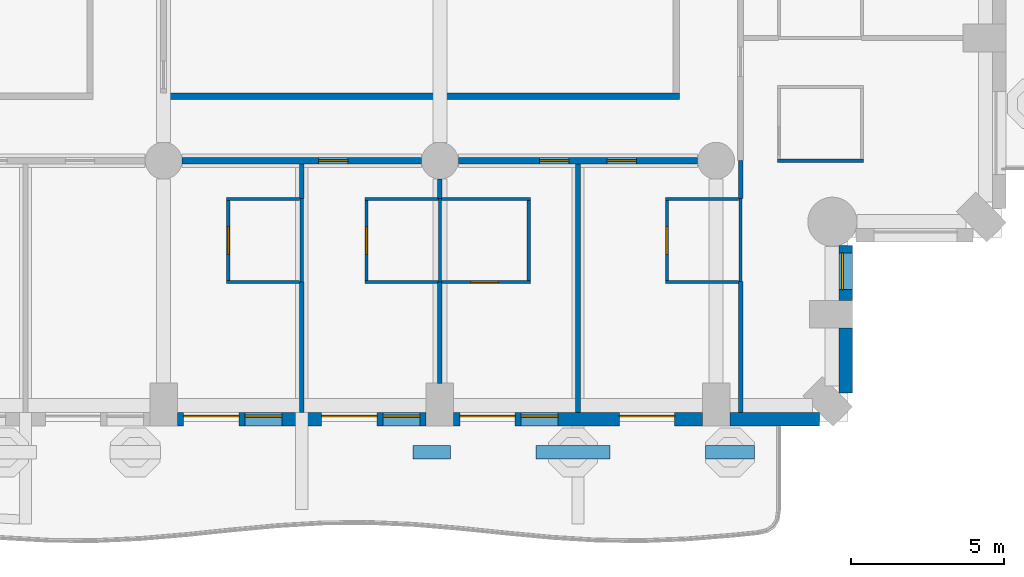
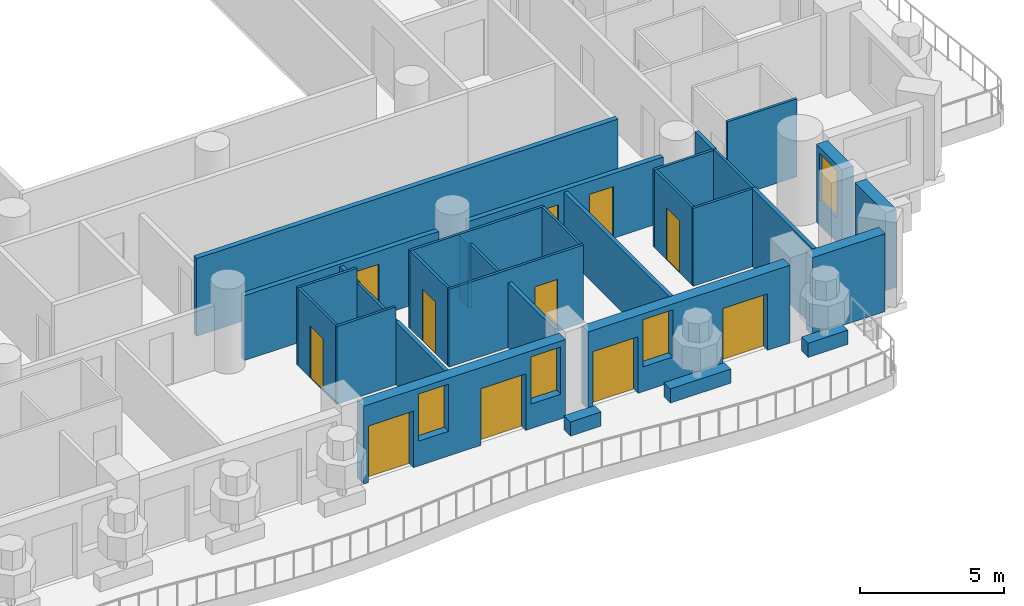
# One storey, part 5 of 20: 32 walls, 11 doors, 4 windows, 15 openings.
"""IFC4 building model written with IfcOpenShell, lengths in metres."""

from ifc_helpers import new_model, si_unit, direction, frame, frame_2d, origin, place, context, subcontext, project, spatial, rectangle, extrude, material, layer, layer_set, type_object, element, fill, save


model = new_model("IFC4")

# Units and contexts
model_context = context("Model", 3, precision=1e-05, world=origin(), true_north=direction((0.0, 1.0)))
body_context = subcontext(model_context, "Body", "Model", "MODEL_VIEW")
ifc_project = project(units=[si_unit("LENGTHUNIT", "METRE"), si_unit("AREAUNIT", "SQUARE_METRE"), si_unit("VOLUMEUNIT", "CUBIC_METRE"), si_unit("PLANEANGLEUNIT", "RADIAN"), si_unit("MASSUNIT", "GRAM", prefix="KILO")], contexts=[model_context])

# Site, building, storey
site_placement = place(None, origin())
site = spatial("IfcSite", under=ifc_project, at=site_placement, CompositionType="ELEMENT")
building_placement = place(site_placement, origin())
building = spatial("IfcBuilding", under=site, at=building_placement, Name="Cypress Arch Tower", CompositionType="ELEMENT")
storey_placement = place(building_placement, frame((0.0, 0.0, 55.5)))
storey = spatial("IfcBuildingStorey", under=building, at=storey_placement, Name="L07", CompositionType="ELEMENT", Elevation=55.5)

# Walls
ifc_material_1 = material(Name="Concrete C40/50, waterproofed", Category="concrete")
ifc_layer_1 = layer(ifc_material_1, 0.449951171875)
ifc_layer_set_1 = layer_set([ifc_layer_1], Name="Balcony planter wall PW450")
wall_type_1 = type_object("IfcWallType", Name="Balcony planter wall PW450", PredefinedType="SOLIDWALL", material=ifc_layer_set_1)
wall_1_placement = place(storey_placement, frame((5.419921875, -27.0, 0.0), z_axis=(0.0, 0.0, 1.0), x_axis=(1.0, 0.0, 0.0)))
element("IfcWall", 1, at=wall_1_placement, inside=storey, type_object=wall_type_1, Name="Balcony planter wall L07-A03.5", PredefinedType="SOLIDWALL", context=body_context, shape_type="SweptSolid", body=[
    extrude(rectangle(XDim=1.22998046875, YDim=0.449951171875, at=frame_2d((0.614990234375, 0.0))), origin(), (0.0, 0.0, 1.0), 0.60009765625),
])
wall_2_placement = place(storey_placement, frame((9.429931640625, -27.0, 0.0), z_axis=(0.0, 0.0, 1.0), x_axis=(1.0, 0.0, 0.0)))
element("IfcWall", 2, at=wall_2_placement, inside=storey, type_object=wall_type_1, Name="Balcony planter wall L07-A03.6", PredefinedType="SOLIDWALL", context=body_context, shape_type="SweptSolid", body=[
    extrude(rectangle(XDim=2.420166015625, YDim=0.449951171875, at=frame_2d((1.2099609375, 0.0))), origin(), (0.0, 0.0, 1.0), 0.60009765625),
])
wall_3_placement = place(storey_placement, frame((14.949951171875, -27.0, 0.0), z_axis=(0.0, 0.0, 1.0), x_axis=(1.0, 0.0, 0.0)))
element("IfcWall", 3, at=wall_3_placement, inside=storey, type_object=wall_type_1, Name="Balcony planter wall L07-A03.7", PredefinedType="SOLIDWALL", context=body_context, shape_type="SweptSolid", body=[
    extrude(rectangle(XDim=1.60009765625, YDim=0.449951171875, at=frame_2d((0.800048828125, 0.0))), origin(), (0.0, 0.0, 1.0), 0.60009765625),
])

# Wall, openings, doors, windows
ifc_material_2 = material(Name="Brick (red buff blend)", Category="masonry")
ifc_layer_2 = layer(ifc_material_2, 0.449951171875)
ifc_layer_set_2 = layer_set([ifc_layer_2], Name="Brick pier and spandrel wall BW450")
wall_type_2 = type_object("IfcWallType", Name="Brick pier and spandrel wall BW450", PredefinedType="SOLIDWALL", material=ifc_layer_set_2)
wall_4_placement = place(storey_placement, frame((-2.25, -25.925048828125, 0.0), z_axis=(0.0, 0.0, 1.0), x_axis=(1.0, 0.0, 0.0)))
wall_4 = element("IfcWall", 4, at=wall_4_placement, inside=storey, type_object=wall_type_2, Name="Brick wall L07 A03.3", PredefinedType="SOLIDWALL", context=body_context, shape_type="SweptSolid", body=[
    extrude(rectangle(XDim=8.10009765625, YDim=0.449951171875, at=frame_2d((4.050048828125, 0.0))), origin(), (0.0, 0.0, 1.0), 3.300048828125),
])
opening_1_placement = place(wall_4_placement, frame((0.199951171875, 0.0, 0.0)))
opening_1 = element("IfcOpeningElement", 5, at=opening_1_placement, cuts=wall_4, Name="Opening D-L07-A03.3.1", PredefinedType="OPENING", context=body_context, shape_type="SweptSolid", body=[
    extrude(rectangle(XDim=1.800048828125, YDim=2.39990234375, at=frame_2d((0.89990234375, 1.199951171875))), frame((0.0, 0.23486328125, 0.0), z_axis=(0.0, -1.0, 0.0), x_axis=(1.0, 0.0, 0.0)), (0.0, 0.0, 1.0), 0.469970703125),
])
opening_2_placement = place(wall_4_placement, frame((2.199951171875, 0.0, 1.050048828125)))
opening_2 = element("IfcOpeningElement", 6, at=opening_2_placement, cuts=wall_4, Name="Opening W120HD", PredefinedType="OPENING", context=body_context, shape_type="SweptSolid", body=[
    extrude(rectangle(XDim=1.199951171875, YDim=2.0, at=frame_2d((0.60009765625, 1.0))), frame((0.0, 0.23486328125, 0.0), z_axis=(0.0, -1.0, 0.0), x_axis=(1.0, 0.0, 0.0)), (0.0, 0.0, 1.0), 0.469970703125),
])
opening_3_placement = place(wall_4_placement, frame((4.699951171875, 0.0, 0.0)))
opening_3 = element("IfcOpeningElement", 7, at=opening_3_placement, cuts=wall_4, Name="Opening D-L07-A03.3.2", PredefinedType="OPENING", context=body_context, shape_type="SweptSolid", body=[
    extrude(rectangle(XDim=1.800048828125, YDim=2.39990234375, at=frame_2d((0.89990234375, 1.199951171875))), frame((0.0, 0.23486328125, 0.0), z_axis=(0.0, -1.0, 0.0), x_axis=(1.0, 0.0, 0.0)), (0.0, 0.0, 1.0), 0.469970703125),
])
opening_4_placement = place(wall_4_placement, frame((6.699951171875, 0.0, 1.050048828125)))
opening_4 = element("IfcOpeningElement", 8, at=opening_4_placement, cuts=wall_4, Name="Opening W120HD", PredefinedType="OPENING", context=body_context, shape_type="SweptSolid", body=[
    extrude(rectangle(XDim=1.199951171875, YDim=2.0, at=frame_2d((0.60009765625, 1.0))), frame((0.0, 0.23486328125, 0.0), z_axis=(0.0, -1.0, 0.0), x_axis=(1.0, 0.0, 0.0)), (0.0, 0.0, 1.0), 0.469970703125),
])
ifc_material_3 = material(Name="Anodised aluminium, bronze finish, laminated low-emissivity double glazing, large-missile impact rated", Category="aluminium")
door_type_1 = type_object("IfcDoorType", Name="Balcony sliding door 1800x2400", OperationType="SLIDING_TO_LEFT", PredefinedType="DOOR", material=ifc_material_3)
door_1_placement = place(opening_1_placement, origin())
door_1 = element("IfcDoor", 9, at=door_1_placement, inside=storey, type_object=door_type_1, Name="Balcony door L07 A03.3.1", OperationType="SLIDING_TO_LEFT", OverallHeight=2.39990234375, OverallWidth=1.800048828125, PredefinedType="DOOR", context=body_context, shape_type="SweptSolid", body=[
    extrude(rectangle(XDim=1.800048828125, YDim=2.39990234375, at=frame_2d((0.89990234375, 1.199951171875))), frame((0.0, 0.1298828125, 0.0), z_axis=(0.0, -1.0, 0.0), x_axis=(1.0, 0.0, 0.0)), (0.0, 0.0, 1.0), 0.050048828125),
])
fill(opening_1, door_1)
door_2_placement = place(opening_3_placement, origin())
door_2 = element("IfcDoor", 10, at=door_2_placement, inside=storey, type_object=door_type_1, Name="Balcony door L07 A03.3.2", OperationType="SLIDING_TO_LEFT", OverallHeight=2.39990234375, OverallWidth=1.800048828125, PredefinedType="DOOR", context=body_context, shape_type="SweptSolid", body=[
    extrude(rectangle(XDim=1.800048828125, YDim=2.39990234375, at=frame_2d((0.89990234375, 1.199951171875))), frame((0.0, 0.1298828125, 0.0), z_axis=(0.0, -1.0, 0.0), x_axis=(1.0, 0.0, 0.0)), (0.0, 0.0, 1.0), 0.050048828125),
])
fill(opening_3, door_2)
ifc_material_4 = material(Name="Anodised aluminium, bronze finish, laminated low-emissivity double glazing, large-missile impact rated", Category="aluminium")
window_type_1 = type_object("IfcWindowType", Name="Window Hotel 1200x2000 debris-rated", PartitioningType="SINGLE_PANEL", PredefinedType="WINDOW", material=ifc_material_4)
window_1_placement = place(opening_2_placement, origin())
window_1 = element("IfcWindow", 11, at=window_1_placement, inside=storey, type_object=window_type_1, Name="Window L07 A03.3.1", OverallHeight=2.0, OverallWidth=1.199951171875, PartitioningType="SINGLE_PANEL", PredefinedType="WINDOW", context=body_context, shape_type="SweptSolid", body=[
    extrude(rectangle(XDim=1.199951171875, YDim=2.0, at=frame_2d((0.60009765625, 1.0))), frame((0.0, 0.135009765625, 0.0), z_axis=(0.0, -1.0, 0.0), x_axis=(1.0, 0.0, 0.0)), (0.0, 0.0, 1.0), 0.06005859375),
])
fill(opening_2, window_1)
window_2_placement = place(opening_4_placement, origin())
window_2 = element("IfcWindow", 12, at=window_2_placement, inside=storey, type_object=window_type_1, Name="Window L07 A03.3.2", OverallHeight=2.0, OverallWidth=1.199951171875, PartitioningType="SINGLE_PANEL", PredefinedType="WINDOW", context=body_context, shape_type="SweptSolid", body=[
    extrude(rectangle(XDim=1.199951171875, YDim=2.0, at=frame_2d((0.60009765625, 1.0))), frame((0.0, 0.135009765625, 0.0), z_axis=(0.0, -1.0, 0.0), x_axis=(1.0, 0.0, 0.0)), (0.0, 0.0, 1.0), 0.06005859375),
])
fill(opening_4, window_2)

# Wall, openings, doors, window
wall_5_placement = place(storey_placement, frame((6.75, -25.925048828125, 0.0), z_axis=(0.0, 0.0, 1.0), x_axis=(1.0, 0.0, 0.0)))
wall_5 = element("IfcWall", 13, at=wall_5_placement, inside=storey, type_object=wall_type_2, Name="Brick wall L07 A03.4", PredefinedType="SOLIDWALL", context=body_context, shape_type="SweptSolid", body=[
    extrude(rectangle(XDim=8.10009765625, YDim=0.449951171875, at=frame_2d((4.050048828125, 0.0))), origin(), (0.0, 0.0, 1.0), 3.300048828125),
])
opening_5_placement = place(wall_5_placement, frame((0.199951171875, 0.0, 0.0)))
opening_5 = element("IfcOpeningElement", 14, at=opening_5_placement, cuts=wall_5, Name="Opening D-L07-A03.4.1", PredefinedType="OPENING", context=body_context, shape_type="SweptSolid", body=[
    extrude(rectangle(XDim=1.800048828125, YDim=2.39990234375, at=frame_2d((0.89990234375, 1.199951171875))), frame((0.0, 0.23486328125, 0.0), z_axis=(0.0, -1.0, 0.0), x_axis=(1.0, 0.0, 0.0)), (0.0, 0.0, 1.0), 0.469970703125),
])
opening_6_placement = place(wall_5_placement, frame((2.199951171875, 0.0, 1.050048828125)))
opening_6 = element("IfcOpeningElement", 15, at=opening_6_placement, cuts=wall_5, Name="Opening W120HD", PredefinedType="OPENING", context=body_context, shape_type="SweptSolid", body=[
    extrude(rectangle(XDim=1.199951171875, YDim=2.0, at=frame_2d((0.60009765625, 1.0))), frame((0.0, 0.23486328125, 0.0), z_axis=(0.0, -1.0, 0.0), x_axis=(1.0, 0.0, 0.0)), (0.0, 0.0, 1.0), 0.469970703125),
])
opening_7_placement = place(wall_5_placement, frame((5.39990234375, 0.0, 0.0)))
opening_7 = element("IfcOpeningElement", 16, at=opening_7_placement, cuts=wall_5, Name="Opening D-L07-A03.4.2", PredefinedType="OPENING", context=body_context, shape_type="SweptSolid", body=[
    extrude(rectangle(XDim=1.800048828125, YDim=2.39990234375, at=frame_2d((0.89990234375, 1.199951171875))), frame((0.0, 0.23486328125, 0.0), z_axis=(0.0, -1.0, 0.0), x_axis=(1.0, 0.0, 0.0)), (0.0, 0.0, 1.0), 0.469970703125),
])
door_3_placement = place(opening_5_placement, origin())
door_3 = element("IfcDoor", 17, at=door_3_placement, inside=storey, type_object=door_type_1, Name="Balcony door L07 A03.4.1", OperationType="SLIDING_TO_LEFT", OverallHeight=2.39990234375, OverallWidth=1.800048828125, PredefinedType="DOOR", context=body_context, shape_type="SweptSolid", body=[
    extrude(rectangle(XDim=1.800048828125, YDim=2.39990234375, at=frame_2d((0.89990234375, 1.199951171875))), frame((0.0, 0.1298828125, 0.0), z_axis=(0.0, -1.0, 0.0), x_axis=(1.0, 0.0, 0.0)), (0.0, 0.0, 1.0), 0.050048828125),
])
fill(opening_5, door_3)
door_4_placement = place(opening_7_placement, origin())
door_4 = element("IfcDoor", 18, at=door_4_placement, inside=storey, type_object=door_type_1, Name="Balcony door L07 A03.4.2", OperationType="SLIDING_TO_LEFT", OverallHeight=2.39990234375, OverallWidth=1.800048828125, PredefinedType="DOOR", context=body_context, shape_type="SweptSolid", body=[
    extrude(rectangle(XDim=1.800048828125, YDim=2.39990234375, at=frame_2d((0.89990234375, 1.199951171875))), frame((0.0, 0.1298828125, 0.0), z_axis=(0.0, -1.0, 0.0), x_axis=(1.0, 0.0, 0.0)), (0.0, 0.0, 1.0), 0.050048828125),
])
fill(opening_7, door_4)
window_3_placement = place(opening_6_placement, origin())
window_3 = element("IfcWindow", 19, at=window_3_placement, inside=storey, type_object=window_type_1, Name="Window L07 A03.4.1", OverallHeight=2.0, OverallWidth=1.199951171875, PartitioningType="SINGLE_PANEL", PredefinedType="WINDOW", context=body_context, shape_type="SweptSolid", body=[
    extrude(rectangle(XDim=1.199951171875, YDim=2.0, at=frame_2d((0.60009765625, 1.0))), frame((0.0, 0.135009765625, 0.0), z_axis=(0.0, -1.0, 0.0), x_axis=(1.0, 0.0, 0.0)), (0.0, 0.0, 1.0), 0.06005859375),
])
fill(opening_6, window_3)

# Walls
wall_6_placement = place(storey_placement, frame((15.75, -25.925048828125, 0.0), z_axis=(0.0, 0.0, 1.0), x_axis=(1.0, 0.0, 0.0)))
element("IfcWall", 20, at=wall_6_placement, inside=storey, type_object=wall_type_2, Name="Brick wall L07 A03.5", PredefinedType="SOLIDWALL", context=body_context, shape_type="SweptSolid", body=[
    extrude(rectangle(XDim=2.91357421875, YDim=0.449951171875, at=frame_2d((1.456787109375, 0.0))), origin(), (0.0, 0.0, 1.0), 3.300048828125),
])
wall_7_placement = place(storey_placement, frame((19.52490234375, -25.063720703125, 0.0), z_axis=(0.0, 0.0, 1.0), x_axis=(0.0, 1.0, 0.0)))
element("IfcWall", 21, at=wall_7_placement, inside=storey, type_object=wall_type_2, Name="Brick wall L07 A04.0", PredefinedType="SOLIDWALL", context=body_context, shape_type="SweptSolid", body=[
    extrude(rectangle(XDim=2.11376953125, YDim=0.449951171875, at=frame_2d((1.056884765625, 0.0))), origin(), (0.0, 0.0, 1.0), 3.300048828125),
])

# Wall, opening, window
wall_8_placement = place(storey_placement, frame((19.52490234375, -22.050048828125, 0.0), z_axis=(0.0, 0.0, 1.0), x_axis=(0.0, 1.0, 0.0)))
wall_8 = element("IfcWall", 22, at=wall_8_placement, inside=storey, type_object=wall_type_2, Name="Brick wall L07 A04.1", PredefinedType="SOLIDWALL", context=body_context, shape_type="SweptSolid", body=[
    extrude(rectangle(XDim=1.79150390625, YDim=0.449951171875, at=frame_2d((0.895751953125, 0.0))), origin(), (0.0, 0.0, 1.0), 3.300048828125),
])
opening_8_placement = place(wall_8_placement, frame((0.35009765625, 0.0, 1.050048828125)))
opening_8 = element("IfcOpeningElement", 23, at=opening_8_placement, cuts=wall_8, Name="Opening W120H", PredefinedType="OPENING", context=body_context, shape_type="SweptSolid", body=[
    extrude(rectangle(XDim=1.199951171875, YDim=2.0, at=frame_2d((0.60009765625, 1.0))), frame((0.0, 0.23486328125, 0.0), z_axis=(0.0, -1.0, 0.0), x_axis=(1.0, 0.0, 0.0)), (0.0, 0.0, 1.0), 0.469970703125),
])
ifc_material_5 = material(Name="Anodised aluminium, bronze finish, clear low-emissivity double glazing", Category="aluminium")
window_type_2 = type_object("IfcWindowType", Name="Window Hotel 1200x2000", PartitioningType="SINGLE_PANEL", PredefinedType="WINDOW", material=ifc_material_5)
window_4_placement = place(opening_8_placement, origin())
window_4 = element("IfcWindow", 24, at=window_4_placement, inside=storey, type_object=window_type_2, Name="Window L07 A04.1.1", OverallHeight=2.0, OverallWidth=1.199951171875, PartitioningType="SINGLE_PANEL", PredefinedType="WINDOW", context=body_context, shape_type="SweptSolid", body=[
    extrude(rectangle(XDim=1.199951171875, YDim=2.0, at=frame_2d((0.60009765625, 1.0))), frame((0.0, 0.135009765625, 0.0), z_axis=(0.0, -1.0, 0.0), x_axis=(1.0, 0.0, 0.0)), (0.0, 0.0, 1.0), 0.06005859375),
])
fill(opening_8, window_4)

# Wall, opening, door
ifc_material_6 = material(Name="Concrete blockwork, plastered, rated", Category="masonry")
ifc_layer_3 = layer(ifc_material_6, 0.199951171875)
ifc_layer_set_3 = layer_set([ifc_layer_3], Name="Corridor wall FW200")
wall_type_3 = type_object("IfcWallType", Name="Corridor wall FW200", PredefinedType="PARTITIONING", material=ifc_layer_set_3)
wall_9_placement = place(storey_placement, frame((-2.10009765625, -17.5, 0.0), z_axis=(0.0, 0.0, 1.0), x_axis=(1.0, 0.0, 0.0)))
wall_9 = element("IfcWall", 25, at=wall_9_placement, inside=storey, type_object=wall_type_3, Name="Corridor wall", PredefinedType="PARTITIONING", context=body_context, shape_type="SweptSolid", body=[
    extrude(rectangle(XDim=7.800048828125, YDim=0.199951171875, at=frame_2d((3.89990234375, 0.0))), origin(), (0.0, 0.0, 1.0), 2.75),
])
opening_9_placement = place(wall_9_placement, frame((4.449951171875, 0.0, 0.0)))
opening_9 = element("IfcOpeningElement", 26, at=opening_9_placement, cuts=wall_9, Name="Opening D02", PredefinedType="OPENING", context=body_context, shape_type="SweptSolid", body=[
    extrude(rectangle(XDim=0.949951171875, YDim=2.199951171875, at=frame_2d((0.47509765625, 1.10009765625))), frame((0.0, 0.10986328125, 0.0), z_axis=(0.0, -1.0, 0.0), x_axis=(1.0, 0.0, 0.0)), (0.0, 0.0, 1.0), 0.219970703125),
])
ifc_material_7 = material(Name="Timber flush door, fire resisting", Category="wood")
door_type_2 = type_object("IfcDoorType", Name="Room door D02 950x2200", OperationType="SINGLE_SWING_LEFT", PredefinedType="DOOR", material=ifc_material_7)
door_5_placement = place(opening_9_placement, origin())
door_5 = element("IfcDoor", 27, at=door_5_placement, inside=storey, type_object=door_type_2, Name="Room door", OperationType="SINGLE_SWING_RIGHT", OverallHeight=2.199951171875, OverallWidth=0.949951171875, PredefinedType="DOOR", context=body_context, shape_type="SweptSolid", body=[
    extrude(rectangle(XDim=0.949951171875, YDim=2.199951171875, at=frame_2d((0.47509765625, 1.10009765625))), frame((0.0, 0.02490234375, 0.0), z_axis=(0.0, -1.0, 0.0), x_axis=(1.0, 0.0, 0.0)), (0.0, 0.0, 1.0), 0.050048828125),
])
fill(opening_9, door_5)

# Wall, openings, doors
wall_10_placement = place(storey_placement, frame((6.89990234375, -17.5, 0.0), z_axis=(0.0, 0.0, 1.0), x_axis=(1.0, 0.0, 0.0)))
wall_10 = element("IfcWall", 28, at=wall_10_placement, inside=storey, type_object=wall_type_3, Name="Corridor wall", PredefinedType="PARTITIONING", context=body_context, shape_type="SweptSolid", body=[
    extrude(rectangle(XDim=7.800048828125, YDim=0.199951171875, at=frame_2d((3.89990234375, 0.0))), origin(), (0.0, 0.0, 1.0), 2.75),
])
opening_10_placement = place(wall_10_placement, frame((2.64990234375, 0.0, 0.0)))
opening_10 = element("IfcOpeningElement", 29, at=opening_10_placement, cuts=wall_10, Name="Opening D02", PredefinedType="OPENING", context=body_context, shape_type="SweptSolid", body=[
    extrude(rectangle(XDim=0.949951171875, YDim=2.199951171875, at=frame_2d((0.47509765625, 1.10009765625))), frame((0.0, 0.10986328125, 0.0), z_axis=(0.0, -1.0, 0.0), x_axis=(1.0, 0.0, 0.0)), (0.0, 0.0, 1.0), 0.219970703125),
])
opening_11_placement = place(wall_10_placement, frame((4.85009765625, 0.0, 0.0)))
opening_11 = element("IfcOpeningElement", 30, at=opening_11_placement, cuts=wall_10, Name="Opening D02", PredefinedType="OPENING", context=body_context, shape_type="SweptSolid", body=[
    extrude(rectangle(XDim=0.949951171875, YDim=2.199951171875, at=frame_2d((0.47509765625, 1.10009765625))), frame((0.0, 0.10986328125, 0.0), z_axis=(0.0, -1.0, 0.0), x_axis=(1.0, 0.0, 0.0)), (0.0, 0.0, 1.0), 0.219970703125),
])
door_6_placement = place(opening_10_placement, origin())
door_6 = element("IfcDoor", 31, at=door_6_placement, inside=storey, type_object=door_type_2, Name="Room door", OperationType="SINGLE_SWING_LEFT", OverallHeight=2.199951171875, OverallWidth=0.949951171875, PredefinedType="DOOR", context=body_context, shape_type="SweptSolid", body=[
    extrude(rectangle(XDim=0.949951171875, YDim=2.199951171875, at=frame_2d((0.47509765625, 1.10009765625))), frame((0.0, 0.02490234375, 0.0), z_axis=(0.0, -1.0, 0.0), x_axis=(1.0, 0.0, 0.0)), (0.0, 0.0, 1.0), 0.050048828125),
])
fill(opening_10, door_6)
door_7_placement = place(opening_11_placement, origin())
door_7 = element("IfcDoor", 32, at=door_7_placement, inside=storey, type_object=door_type_2, Name="Room door", OperationType="SINGLE_SWING_RIGHT", OverallHeight=2.199951171875, OverallWidth=0.949951171875, PredefinedType="DOOR", context=body_context, shape_type="SweptSolid", body=[
    extrude(rectangle(XDim=0.949951171875, YDim=2.199951171875, at=frame_2d((0.47509765625, 1.10009765625))), frame((0.0, 0.02490234375, 0.0), z_axis=(0.0, -1.0, 0.0), x_axis=(1.0, 0.0, 0.0)), (0.0, 0.0, 1.0), 0.050048828125),
])
fill(opening_11, door_7)

# Walls
wall_11_placement = place(storey_placement, frame((-2.800048828125, -15.39990234375, 0.0), z_axis=(0.0, 0.0, 1.0), x_axis=(1.0, 0.0, 0.0)))
element("IfcWall", 33, at=wall_11_placement, inside=storey, type_object=wall_type_3, Name="Corridor wall", PredefinedType="PARTITIONING", context=body_context, shape_type="SweptSolid", body=[
    extrude(rectangle(XDim=16.900146484375, YDim=0.199951171875, at=frame_2d((8.4501953125, 0.0))), origin(), (0.0, 0.0, 1.0), 3.300048828125),
])
ifc_material_8 = material(Name="Blockwork, plastered both sides", Category="masonry")
ifc_layer_4 = layer(ifc_material_8, 0.14990234375)
ifc_layer_set_4 = layer_set([ifc_layer_4], Name="Partition PW150")
wall_type_4 = type_object("IfcWallType", Name="Partition PW150", PredefinedType="PARTITIONING", material=ifc_layer_set_4)
wall_12_placement = place(storey_placement, frame((1.800048828125, -25.699951171875, 0.0), z_axis=(0.0, 0.0, 1.0), x_axis=(0.0, 1.0, 0.0)))
element("IfcWall", 34, at=wall_12_placement, inside=storey, type_object=wall_type_4, Name="Partition", PredefinedType="PARTITIONING", context=body_context, shape_type="SweptSolid", body=[
    extrude(rectangle(XDim=4.25, YDim=0.14990234375, at=frame_2d((2.125, 0.0))), origin(), (0.0, 0.0, 1.0), 2.64990234375),
])
wall_13_placement = place(storey_placement, frame((1.800048828125, -18.72998046875, 0.0), z_axis=(0.0, 0.0, 1.0), x_axis=(0.0, 1.0, 0.0)))
element("IfcWall", 35, at=wall_13_placement, inside=storey, type_object=wall_type_4, Name="Partition", PredefinedType="PARTITIONING", context=body_context, shape_type="SweptSolid", body=[
    extrude(rectangle(XDim=1.1298828125, YDim=0.14990234375, at=frame_2d((0.56494140625, 0.0))), origin(), (0.0, 0.0, 1.0), 2.64990234375),
])
wall_14_placement = place(storey_placement, frame((6.300048828125, -24.75, 0.0), z_axis=(0.0, 0.0, 1.0), x_axis=(0.0, 1.0, 0.0)))
element("IfcWall", 36, at=wall_14_placement, inside=storey, type_object=wall_type_4, Name="Partition", PredefinedType="PARTITIONING", context=body_context, shape_type="SweptSolid", body=[
    extrude(rectangle(XDim=3.300048828125, YDim=0.14990234375, at=frame_2d((1.64990234375, 0.0))), origin(), (0.0, 0.0, 1.0), 2.75),
])
wall_15_placement = place(storey_placement, frame((6.300048828125, -18.72998046875, 0.0), z_axis=(0.0, 0.0, 1.0), x_axis=(0.0, 1.0, 0.0)))
element("IfcWall", 37, at=wall_15_placement, inside=storey, type_object=wall_type_4, Name="Partition", PredefinedType="PARTITIONING", context=body_context, shape_type="SweptSolid", body=[
    extrude(rectangle(XDim=0.6298828125, YDim=0.14990234375, at=frame_2d((0.31494140625, 0.0))), origin(), (0.0, 0.0, 1.0), 2.75),
])
wall_16_placement = place(storey_placement, frame((10.800048828125, -25.699951171875, 0.0), z_axis=(0.0, 0.0, 1.0), x_axis=(0.0, 1.0, 0.0)))
element("IfcWall", 38, at=wall_16_placement, inside=storey, type_object=wall_type_4, Name="Partition", PredefinedType="PARTITIONING", context=body_context, shape_type="SweptSolid", body=[
    extrude(rectangle(XDim=8.099853515625, YDim=0.14990234375, at=frame_2d((4.0498046875, 0.0))), origin(), (0.0, 0.0, 1.0), 2.64990234375),
])
wall_17_placement = place(storey_placement, frame((16.10009765625, -25.699951171875, 0.0), z_axis=(0.0, 0.0, 1.0), x_axis=(0.0, 1.0, 0.0)))
element("IfcWall", 39, at=wall_17_placement, inside=storey, type_object=wall_type_4, Name="Partition", PredefinedType="PARTITIONING", context=body_context, shape_type="SweptSolid", body=[
    extrude(rectangle(XDim=4.27001953125, YDim=0.14990234375, at=frame_2d((2.135009765625, 0.0))), origin(), (0.0, 0.0, 1.0), 3.300048828125),
])
wall_18_placement = place(storey_placement, frame((16.10009765625, -18.72998046875, 0.0), z_axis=(0.0, 0.0, 1.0), x_axis=(0.0, 1.0, 0.0)))
element("IfcWall", 40, at=wall_18_placement, inside=storey, type_object=wall_type_4, Name="Partition", PredefinedType="PARTITIONING", context=body_context, shape_type="SweptSolid", body=[
    extrude(rectangle(XDim=1.22998046875, YDim=0.14990234375, at=frame_2d((0.614990234375, 0.0))), origin(), (0.0, 0.0, 1.0), 3.300048828125),
])

# Wall, opening, door
ifc_material_9 = material(Name="Moisture resistant board on steel studs, tiled", Category="steel")
ifc_layer_5 = layer(ifc_material_9, 0.10009765625)
ifc_layer_set_5 = layer_set([ifc_layer_5], Name="Wet wall PW100")
wall_type_5 = type_object("IfcWallType", Name="Wet wall PW100", PredefinedType="PARTITIONING", material=ifc_layer_set_5)
wall_19_placement = place(storey_placement, frame((-0.595947265625, -21.39990234375, 0.0), z_axis=(0.0, 0.0, 1.0), x_axis=(0.0, 1.0, 0.0)))
wall_19 = element("IfcWall", 41, at=wall_19_placement, inside=storey, type_object=wall_type_5, Name="Wet wall", PredefinedType="PARTITIONING", context=body_context, shape_type="SweptSolid", body=[
    extrude(rectangle(XDim=2.599853515625, YDim=0.10009765625, at=frame_2d((1.2998046875, 0.0))), origin(), (0.0, 0.0, 1.0), 3.300048828125),
])
opening_12_placement = place(wall_19_placement, frame((0.85009765625, 0.0, 0.0)))
opening_12 = element("IfcOpeningElement", 42, at=opening_12_placement, cuts=wall_19, Name="Opening D03", PredefinedType="OPENING", context=body_context, shape_type="SweptSolid", body=[
    extrude(rectangle(XDim=0.89990234375, YDim=2.199951171875, at=frame_2d((0.449951171875, 1.10009765625))), frame((0.0, 0.06005859375, 0.0), z_axis=(0.0, -1.0, 0.0), x_axis=(1.0, 0.0, 0.0)), (0.0, 0.0, 1.0), 0.1201171875),
])
ifc_material_10 = material(Name="Timber flush door, moisture resistant", Category="wood")
door_type_3 = type_object("IfcDoorType", Name="Bathroom door D03 900x2200", OperationType="SINGLE_SWING_LEFT", PredefinedType="DOOR", material=ifc_material_10)
door_8_placement = place(opening_12_placement, origin())
door_8 = element("IfcDoor", 43, at=door_8_placement, inside=storey, type_object=door_type_3, Name="Bathroom door", OperationType="SINGLE_SWING_LEFT", OverallHeight=2.199951171875, OverallWidth=0.89990234375, PredefinedType="DOOR", context=body_context, shape_type="SweptSolid", body=[
    extrude(rectangle(XDim=0.89990234375, YDim=2.199951171875, at=frame_2d((0.449951171875, 1.10009765625))), frame((0.0, 0.02490234375, 0.0), z_axis=(0.0, -1.0, 0.0), x_axis=(1.0, 0.0, 0.0)), (0.0, 0.0, 1.0), 0.050048828125),
])
fill(opening_12, door_8)

# Walls
for number, where, z_axis, x_axis, name in (
    (44, (-0.64599609375, -21.449951171875, 0.0), (0.0, 0.0, 1.0), (1.0, 0.0, 0.0), "Wet wall"),
    (45, (-0.64599609375, -18.75, 0.0), (0.0, 0.0, 1.0), (1.0, 0.0, 0.0), "Wet wall"),
):
    element("IfcWall", number, at=place(storey_placement, frame(where, z_axis=z_axis, x_axis=x_axis)), inside=storey, type_object=wall_type_5, Name=name, PredefinedType="PARTITIONING", context=body_context, shape_type="SweptSolid", body=[
        extrude(rectangle(XDim=2.37109375, YDim=0.10009765625, at=frame_2d((1.185546875, 0.0))), origin(), (0.0, 0.0, 1.0), 3.300048828125),
    ])
wall_20_placement = place(storey_placement, frame((1.800048828125, -21.449951171875, 0.0), z_axis=(0.0, 0.0, 1.0), x_axis=(0.0, 1.0, 0.0)))
element("IfcWall", 46, at=wall_20_placement, inside=storey, type_object=wall_type_5, Name="Wet wall", PredefinedType="PARTITIONING", context=body_context, shape_type="SweptSolid", body=[
    extrude(rectangle(XDim=2.719970703125, YDim=0.10009765625, at=frame_2d((1.35986328125, 0.0))), origin(), (0.0, 0.0, 1.0), 2.64990234375),
])

# Wall, opening, door
wall_21_placement = place(storey_placement, frame((3.904052734375, -21.39990234375, 0.0), z_axis=(0.0, 0.0, 1.0), x_axis=(0.0, 1.0, 0.0)))
wall_21 = element("IfcWall", 47, at=wall_21_placement, inside=storey, type_object=wall_type_5, Name="Wet wall", PredefinedType="PARTITIONING", context=body_context, shape_type="SweptSolid", body=[
    extrude(rectangle(XDim=2.599853515625, YDim=0.10009765625, at=frame_2d((1.2998046875, 0.0))), origin(), (0.0, 0.0, 1.0), 3.300048828125),
])
opening_13_placement = place(wall_21_placement, frame((0.85009765625, 0.0, 0.0)))
opening_13 = element("IfcOpeningElement", 48, at=opening_13_placement, cuts=wall_21, Name="Opening D03", PredefinedType="OPENING", context=body_context, shape_type="SweptSolid", body=[
    extrude(rectangle(XDim=0.89990234375, YDim=2.199951171875, at=frame_2d((0.449951171875, 1.10009765625))), frame((0.0, 0.06005859375, 0.0), z_axis=(0.0, -1.0, 0.0), x_axis=(1.0, 0.0, 0.0)), (0.0, 0.0, 1.0), 0.1201171875),
])
door_9_placement = place(opening_13_placement, origin())
door_9 = element("IfcDoor", 49, at=door_9_placement, inside=storey, type_object=door_type_3, Name="Bathroom door", OperationType="SINGLE_SWING_LEFT", OverallHeight=2.199951171875, OverallWidth=0.89990234375, PredefinedType="DOOR", context=body_context, shape_type="SweptSolid", body=[
    extrude(rectangle(XDim=0.89990234375, YDim=2.199951171875, at=frame_2d((0.449951171875, 1.10009765625))), frame((0.0, 0.02490234375, 0.0), z_axis=(0.0, -1.0, 0.0), x_axis=(1.0, 0.0, 0.0)), (0.0, 0.0, 1.0), 0.050048828125),
])
fill(opening_13, door_9)

wall_22_placement = place(storey_placement, frame((3.85400390625, -21.449951171875, 0.0), z_axis=(0.0, 0.0, 1.0), x_axis=(1.0, 0.0, 0.0)))
wall_22 = element("IfcWall", 50, at=wall_22_placement, inside=storey, type_object=wall_type_5, Name="Wet wall", PredefinedType="PARTITIONING", context=body_context, shape_type="SweptSolid", body=[
    extrude(rectangle(XDim=5.39208984375, YDim=0.10009765625, at=frame_2d((2.696044921875, 0.0))), origin(), (0.0, 0.0, 1.0), 3.300048828125),
])
opening_14_placement = place(wall_22_placement, frame((3.449951171875, 0.0, 0.0)))
opening_14 = element("IfcOpeningElement", 51, at=opening_14_placement, cuts=wall_22, Name="Opening D03", PredefinedType="OPENING", context=body_context, shape_type="SweptSolid", body=[
    extrude(rectangle(XDim=0.89990234375, YDim=2.199951171875, at=frame_2d((0.449951171875, 1.10009765625))), frame((0.0, 0.06005859375, 0.0), z_axis=(0.0, -1.0, 0.0), x_axis=(1.0, 0.0, 0.0)), (0.0, 0.0, 1.0), 0.1201171875),
])
door_10_placement = place(opening_14_placement, origin())
door_10 = element("IfcDoor", 52, at=door_10_placement, inside=storey, type_object=door_type_3, Name="Bathroom door", OperationType="SINGLE_SWING_RIGHT", OverallHeight=2.199951171875, OverallWidth=0.89990234375, PredefinedType="DOOR", context=body_context, shape_type="SweptSolid", body=[
    extrude(rectangle(XDim=0.89990234375, YDim=2.199951171875, at=frame_2d((0.449951171875, 1.10009765625))), frame((0.0, 0.02490234375, 0.0), z_axis=(0.0, -1.0, 0.0), x_axis=(1.0, 0.0, 0.0)), (0.0, 0.0, 1.0), 0.050048828125),
])
fill(opening_14, door_10)

# Walls
wall_23_placement = place(storey_placement, frame((3.85400390625, -18.75, 0.0), z_axis=(0.0, 0.0, 1.0), x_axis=(1.0, 0.0, 0.0)))
element("IfcWall", 53, at=wall_23_placement, inside=storey, type_object=wall_type_5, Name="Wet wall", PredefinedType="PARTITIONING", context=body_context, shape_type="SweptSolid", body=[
    extrude(rectangle(XDim=5.39208984375, YDim=0.10009765625, at=frame_2d((2.696044921875, 0.0))), origin(), (0.0, 0.0, 1.0), 3.300048828125),
])
wall_24_placement = place(storey_placement, frame((6.300048828125, -21.449951171875, 0.0), z_axis=(0.0, 0.0, 1.0), x_axis=(0.0, 1.0, 0.0)))
element("IfcWall", 54, at=wall_24_placement, inside=storey, type_object=wall_type_5, Name="Wet wall", PredefinedType="PARTITIONING", context=body_context, shape_type="SweptSolid", body=[
    extrude(rectangle(XDim=2.719970703125, YDim=0.10009765625, at=frame_2d((1.35986328125, 0.0))), origin(), (0.0, 0.0, 1.0), 2.75),
])
wall_25_placement = place(storey_placement, frame((9.196044921875, -21.39990234375, 0.0), z_axis=(0.0, 0.0, 1.0), x_axis=(0.0, 1.0, 0.0)))
element("IfcWall", 55, at=wall_25_placement, inside=storey, type_object=wall_type_5, Name="Wet wall", PredefinedType="PARTITIONING", context=body_context, shape_type="SweptSolid", body=[
    extrude(rectangle(XDim=2.599853515625, YDim=0.10009765625, at=frame_2d((1.2998046875, 0.0))), origin(), (0.0, 0.0, 1.0), 3.300048828125),
])

# Wall, opening, door
wall_26_placement = place(storey_placement, frame((13.699951171875, -21.39990234375, 0.0), z_axis=(0.0, 0.0, 1.0), x_axis=(0.0, 1.0, 0.0)))
wall_26 = element("IfcWall", 56, at=wall_26_placement, inside=storey, type_object=wall_type_5, Name="Wet wall", PredefinedType="PARTITIONING", context=body_context, shape_type="SweptSolid", body=[
    extrude(rectangle(XDim=2.599853515625, YDim=0.10009765625, at=frame_2d((1.2998046875, 0.0))), origin(), (0.0, 0.0, 1.0), 3.300048828125),
])
opening_15_placement = place(wall_26_placement, frame((0.85009765625, 0.0, 0.0)))
opening_15 = element("IfcOpeningElement", 57, at=opening_15_placement, cuts=wall_26, Name="Opening D03", PredefinedType="OPENING", context=body_context, shape_type="SweptSolid", body=[
    extrude(rectangle(XDim=0.89990234375, YDim=2.199951171875, at=frame_2d((0.449951171875, 1.10009765625))), frame((0.0, 0.06005859375, 0.0), z_axis=(0.0, -1.0, 0.0), x_axis=(1.0, 0.0, 0.0)), (0.0, 0.0, 1.0), 0.1201171875),
])
door_11_placement = place(opening_15_placement, origin())
door_11 = element("IfcDoor", 58, at=door_11_placement, inside=storey, type_object=door_type_3, Name="Bathroom door", OperationType="SINGLE_SWING_LEFT", OverallHeight=2.199951171875, OverallWidth=0.89990234375, PredefinedType="DOOR", context=body_context, shape_type="SweptSolid", body=[
    extrude(rectangle(XDim=0.89990234375, YDim=2.199951171875, at=frame_2d((0.449951171875, 1.10009765625))), frame((0.0, 0.02490234375, 0.0), z_axis=(0.0, -1.0, 0.0), x_axis=(1.0, 0.0, 0.0)), (0.0, 0.0, 1.0), 0.050048828125),
])
fill(opening_15, door_11)

# Walls
for number, where, z_axis, x_axis, name in (
    (59, (13.64990234375, -21.449951171875, 0.0), (0.0, 0.0, 1.0), (1.0, 0.0, 0.0), "Wet wall"),
    (60, (13.64990234375, -18.75, 0.0), (0.0, 0.0, 1.0), (1.0, 0.0, 0.0), "Wet wall"),
):
    element("IfcWall", number, at=place(storey_placement, frame(where, z_axis=z_axis, x_axis=x_axis)), inside=storey, type_object=wall_type_5, Name=name, PredefinedType="PARTITIONING", context=body_context, shape_type="SweptSolid", body=[
        extrude(rectangle(XDim=2.375, YDim=0.10009765625, at=frame_2d((1.1875, 0.0))), origin(), (0.0, 0.0, 1.0), 3.300048828125),
    ])
wall_27_placement = place(storey_placement, frame((16.10009765625, -21.429931640625, 0.0), z_axis=(0.0, 0.0, 1.0), x_axis=(0.0, 1.0, 0.0)))
element("IfcWall", 61, at=wall_27_placement, inside=storey, type_object=wall_type_5, Name="Wet wall", PredefinedType="PARTITIONING", context=body_context, shape_type="SweptSolid", body=[
    extrude(rectangle(XDim=2.699951171875, YDim=0.10009765625, at=frame_2d((1.35009765625, 0.0))), origin(), (0.0, 0.0, 1.0), 3.300048828125),
])
wall_28_placement = place(storey_placement, frame((17.300048828125, -17.5, 0.0), z_axis=(0.0, 0.0, 1.0), x_axis=(1.0, 0.0, 0.0)))
element("IfcWall", 62, at=wall_28_placement, inside=storey, type_object=wall_type_5, Name="Wet wall", PredefinedType="PARTITIONING", context=body_context, shape_type="SweptSolid", body=[
    extrude(rectangle(XDim=2.800048828125, YDim=0.10009765625, at=frame_2d((1.39990234375, 0.0))), origin(), (0.0, 0.0, 1.0), 3.300048828125),
])

save(model, "model.ifc")
